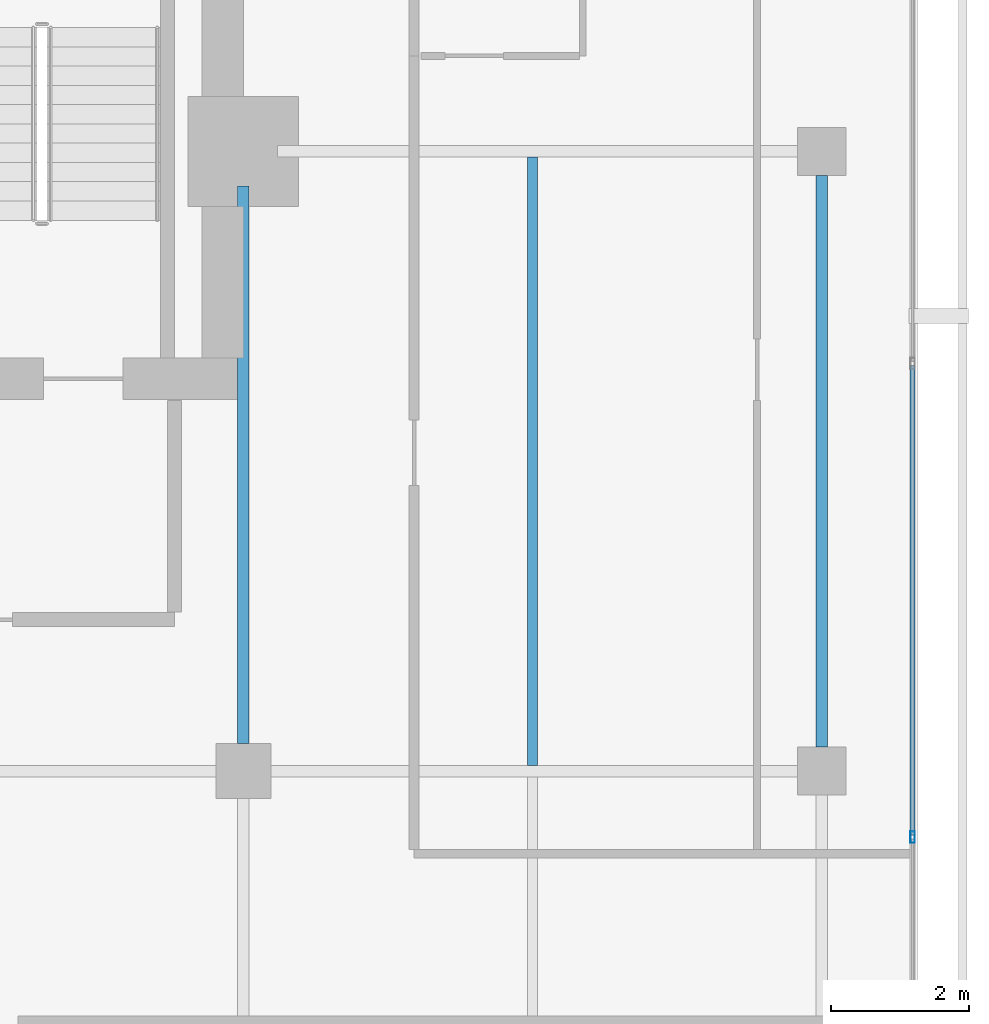
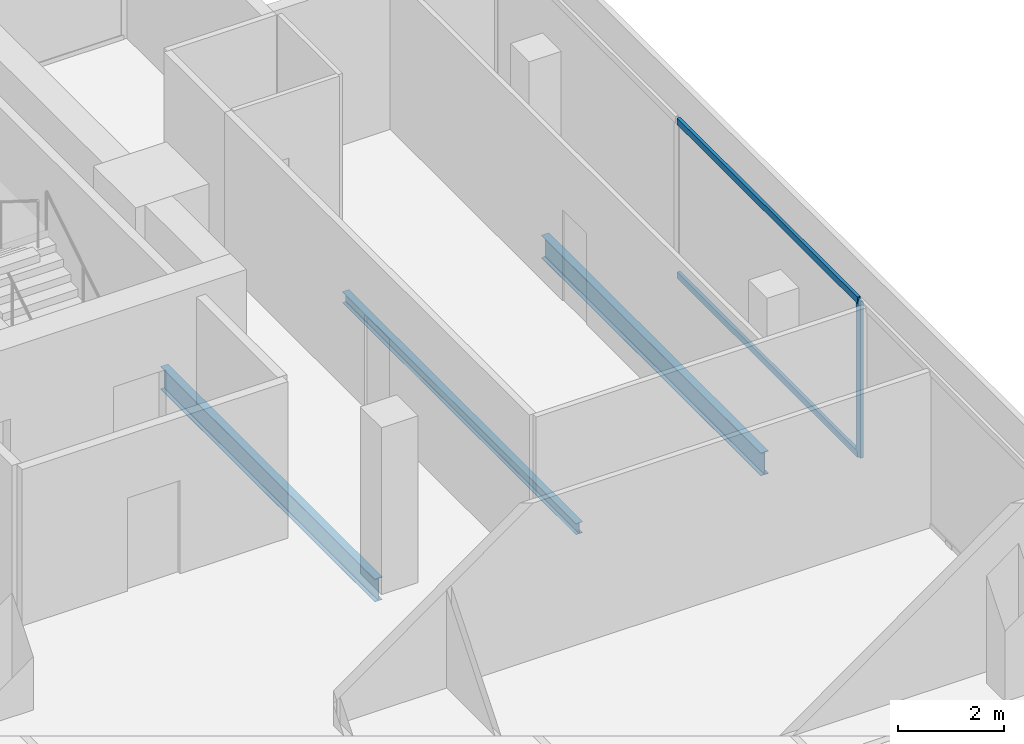
# One storey, part 15 of 25: 3 beams, 3 members, 1 element without a shape of its own.
"""IFC4 building model written with IfcOpenShell, lengths in metres."""

from ifc_helpers import new_model, si_unit, direction, frame, origin, origin_2d, place, context, subcontext, project, spatial, hollow_rectangle, i_section, extrude, material, layer, layer_set, material_profile, profile_set, type_object, element, aggregate, save


model = new_model("IFC4")

# Units and contexts
model_context = context("Model", 3, precision=1e-05, world=origin(), true_north=direction((0.0, 1.0)))
body_context = subcontext(model_context, "Body", "Model", "MODEL_VIEW")
ifc_project = project(units=[si_unit("LENGTHUNIT", "METRE"), si_unit("AREAUNIT", "SQUARE_METRE"), si_unit("VOLUMEUNIT", "CUBIC_METRE"), si_unit("PLANEANGLEUNIT", "RADIAN"), si_unit("MASSUNIT", "GRAM", prefix="KILO")], contexts=[model_context])

# Site, building, storey
site_placement = place(None, origin())
site = spatial("IfcSite", under=ifc_project, at=site_placement, CompositionType="ELEMENT")
building_placement = place(site_placement, origin())
building = spatial("IfcBuilding", under=site, at=building_placement, Name="Maruvema Waterfront Hotel and Observation Tower", CompositionType="ELEMENT")
storey_placement = place(building_placement, frame((0.0, 0.0, 277.89990234375)))
storey = spatial("IfcBuildingStorey", under=building, at=storey_placement, Name="L68", CompositionType="ELEMENT", Elevation=277.89990234375)

# Curtain wall, members
ifc_material_1 = material(Name="Anodised bronze aluminium and solar-control low-E IGU", Category="aluminium")
ifc_layer = layer(ifc_material_1, 0.159912109375, Name="Zone 3 Champagne Inner Thermal Curtain Wall System CW-04")
ifc_layer_set = layer_set([ifc_layer], Name="Anodised bronze aluminium and solar-control low-E IGU")
curtain_wall_type = type_object("IfcCurtainWallType", Name="Zone 3 Champagne Inner Thermal Curtain Wall System CW-04", PredefinedType="USERDEFINED", material=ifc_layer_set)
curtain_wall_placement = place(storey_placement, origin())
curtain_wall = element("IfcCurtainWall", 1, at=curtain_wall_placement, inside=storey, type_object=curtain_wall_type, Name="L68 Curtain Wall CW-L68-E", ObjectType="UNITISED CURTAIN WALL", PredefinedType="USERDEFINED")
ifc_material_2 = material(Name="Anodised architectural bronze aluminium", Category="aluminium")
ifc_material_profile_1 = material_profile(ifc_material_2, hollow_rectangle(XDim=0.070068359375, YDim=0.14990234375, WallThickness=0.00390625, at=origin_2d()), Name="ALU-T70x150")
ifc_profile_set_1 = profile_set([ifc_material_profile_1], Name="Anodised architectural bronze aluminium")
member_type_1 = type_object("IfcMemberType", Name="Curtain Wall Horizontal Transom ALU-T70x150", PredefinedType="USERDEFINED", material=ifc_profile_set_1)
member_1_placement = place(storey_placement, frame((60.1201171875, 35.070068359375, 0.030029296875), z_axis=(0.0, 1.0, 0.0), x_axis=(-1.0, 0.0, 0.0)))
member_1 = element("IfcMember", 2, at=member_1_placement, type_object=member_type_1, Name="CW-04 transom 4.1", ObjectType="TRANSOM", PredefinedType="USERDEFINED", context=body_context, shape_type="SweptSolid", body=[
    extrude(hollow_rectangle(XDim=0.070068359375, YDim=0.14990234375, WallThickness=0.00390625, at=origin_2d()), origin(), (0.0, 0.0, 1.0), 6.81982421875),
])
member_2_placement = place(storey_placement, frame((60.1201171875, 35.070068359375, 3.580078125), z_axis=(0.0, 1.0, 0.0), x_axis=(-1.0, 0.0, 0.0)))
member_2 = element("IfcMember", 3, at=member_2_placement, type_object=member_type_1, Name="CW-04 transom 4.2", ObjectType="TRANSOM", PredefinedType="USERDEFINED", context=body_context, shape_type="SweptSolid", body=[
    extrude(hollow_rectangle(XDim=0.070068359375, YDim=0.14990234375, WallThickness=0.00390625, at=origin_2d()), origin(), (0.0, 0.0, 1.0), 6.81982421875),
])
ifc_material_3 = material(Name="Anodised architectural bronze aluminium", Category="aluminium")
ifc_material_profile_2 = material_profile(ifc_material_3, hollow_rectangle(XDim=0.06494140625, YDim=0.1650390625, WallThickness=0.00390625, at=origin_2d()), Name="ALU-M65x165")
ifc_profile_set_2 = profile_set([ifc_material_profile_2], Name="Anodised architectural bronze aluminium")
member_type_2 = type_object("IfcMemberType", Name="Curtain Wall Primary Mullion ALU-M65x165", PredefinedType="MULLION", material=ifc_profile_set_2)
member_3_placement = place(storey_placement, frame((60.1201171875, 35.0400390625, 0.0), z_axis=(0.0, 0.0, 1.0), x_axis=(-1.0, 0.0, 0.0)))
member_3 = element("IfcMember", 4, at=member_3_placement, type_object=member_type_2, Name="CW-04 mullion 4", PredefinedType="MULLION", context=body_context, shape_type="SweptSolid", body=[
    extrude(hollow_rectangle(XDim=0.06494140625, YDim=0.1650390625, WallThickness=0.00390625, at=origin_2d()), origin(), (0.0, 0.0, 1.0), 3.610107421875),
])
aggregate(curtain_wall, [member_3, member_1, member_2])

# Beams
ifc_material_4 = material(Name="Steel ASTM A572 Grade 50", Category="steel")
ifc_material_profile_3 = material_profile(ifc_material_4, i_section(OverallWidth=0.166015625, OverallDepth=0.529052734375, WebThickness=0.009765625, FlangeThickness=0.013671875, FilletRadius=0.014892578125, at=origin_2d()), Name="W530x74.0")
ifc_profile_set_3 = profile_set([ifc_material_profile_3], Name="Steel ASTM A572 Grade 50")
beam_type_1 = type_object("IfcBeamType", Name="Primary Floor Girder W530x74.0", PredefinedType="BEAM", material=ifc_profile_set_3)
beam_1_placement = place(storey_placement, frame((50.39990234375, 36.39990234375, -0.50439453125), z_axis=(0.0, 1.0, 0.0), x_axis=(-1.0, 0.0, 0.0)))
element("IfcBeam", 5, at=beam_1_placement, inside=storey, type_object=beam_type_1, Name="L68 Floor Girder NS-15", PredefinedType="BEAM", context=body_context, shape_type="SweptSolid", body=[
    extrude(i_section(OverallWidth=0.166015625, OverallDepth=0.529052734375, WebThickness=0.009765625, FlangeThickness=0.013671875, FilletRadius=0.014892578125, at=origin_2d()), origin(), (0.0, 0.0, 1.0), 8.10009765625),
])
beam_2_placement = place(storey_placement, frame((58.800048828125, 36.35009765625, -0.50439453125), z_axis=(0.0, 1.0, 0.0), x_axis=(-1.0, 0.0, 0.0)))
element("IfcBeam", 6, at=beam_2_placement, inside=storey, type_object=beam_type_1, Name="L68 Floor Girder NS-18", PredefinedType="BEAM", context=body_context, shape_type="SweptSolid", body=[
    extrude(i_section(OverallWidth=0.166015625, OverallDepth=0.529052734375, WebThickness=0.009765625, FlangeThickness=0.013671875, FilletRadius=0.014892578125, at=origin_2d()), origin(), (0.0, 0.0, 1.0), 8.2998046875),
])
ifc_material_5 = material(Name="Steel ASTM A572 Grade 50", Category="steel")
ifc_material_profile_4 = material_profile(ifc_material_5, i_section(OverallWidth=0.14599609375, OverallDepth=0.258056640625, WebThickness=0.006103515625, FlangeThickness=0.009033203125, FilletRadius=0.012939453125, at=origin_2d()), Name="W250x32.7")
ifc_profile_set_4 = profile_set([ifc_material_profile_4], Name="Steel ASTM A572 Grade 50")
beam_type_2 = type_object("IfcBeamType", Name="Secondary Floor Joist W250x32.7", PredefinedType="JOIST", material=ifc_profile_set_4)
beam_3_placement = place(storey_placement, frame((54.60009765625, 36.0830078125, -0.368896484375), z_axis=(0.0, 1.0, 0.0), x_axis=(-1.0, 0.0, 0.0)))
element("IfcBeam", 7, at=beam_3_placement, inside=storey, type_object=beam_type_2, Name="L68 Secondary Floor Joist JS-09", PredefinedType="JOIST", context=body_context, shape_type="SweptSolid", body=[
    extrude(i_section(OverallWidth=0.14599609375, OverallDepth=0.258056640625, WebThickness=0.006103515625, FlangeThickness=0.009033203125, FilletRadius=0.012939453125, at=origin_2d()), origin(), (0.0, 0.0, 1.0), 8.833984375),
])

save(model, "model.ifc")
